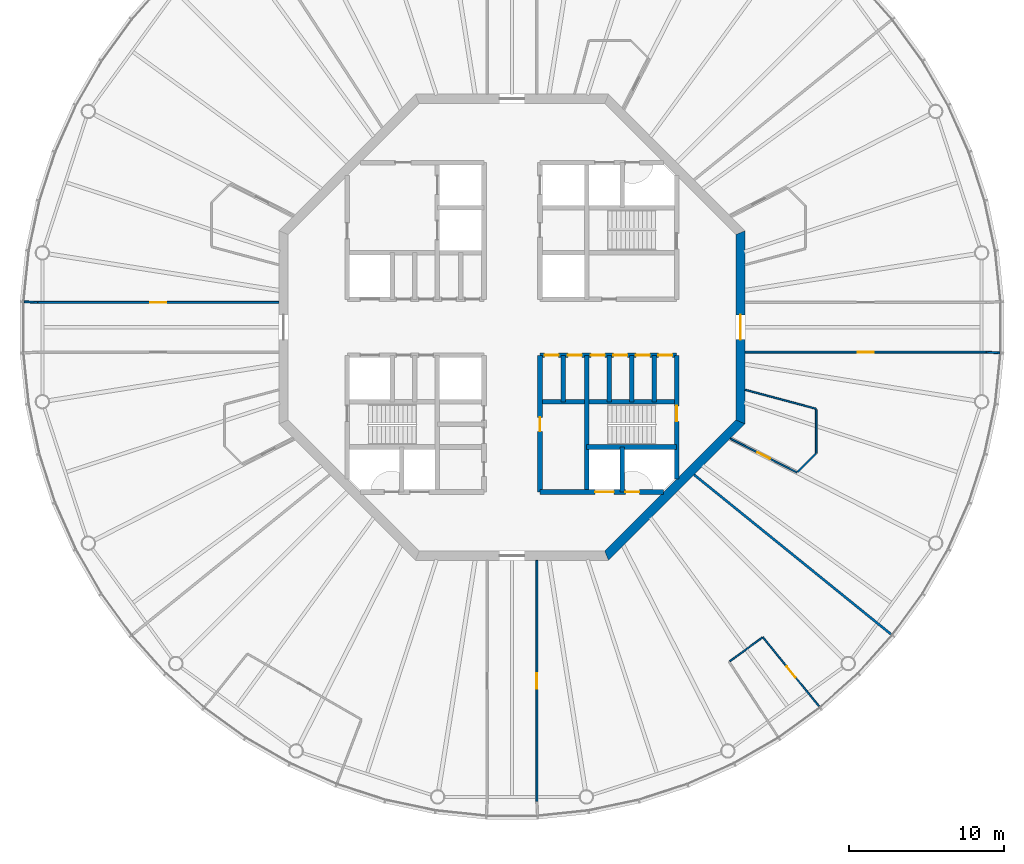
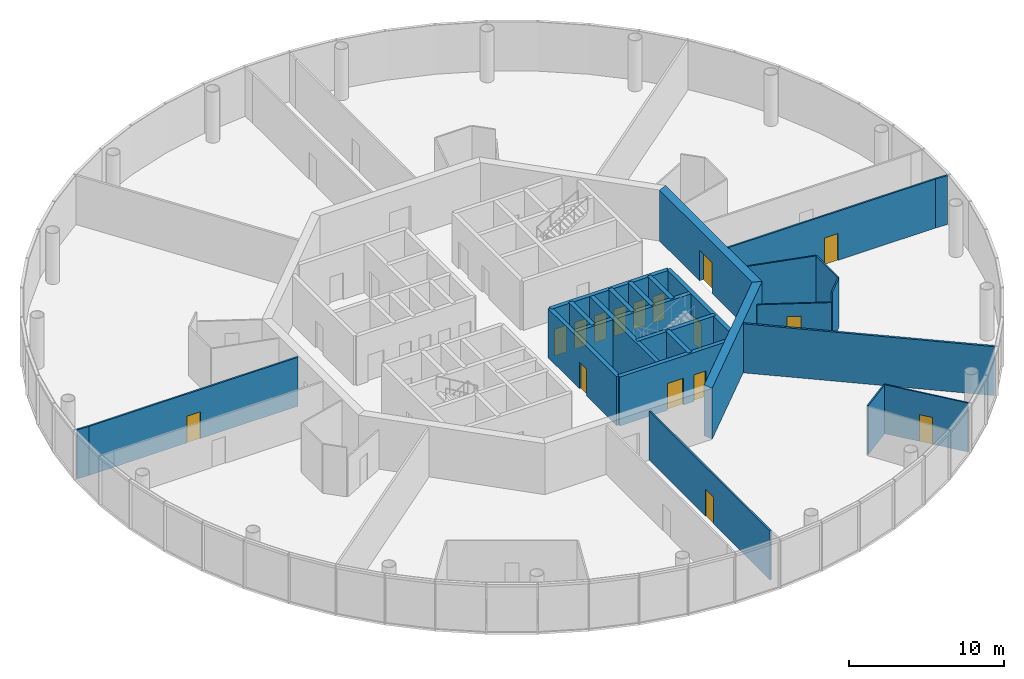
# One storey, part 4 of 13: 26 walls, 16 doors, 16 openings.
"""IFC4 building model written with IfcOpenShell, lengths in metres."""

from ifc_helpers import new_model, si_unit, direction, frame, frame_2d, origin, place, context, subcontext, project, spatial, polyline, rectangle, outline, extrude, material, layer, layer_set, type_object, element, fill, save


model = new_model("IFC4")

# Units and contexts
model_context = context("Model", 3, precision=1e-05, world=origin(), true_north=direction((0.0, 1.0)))
body_context = subcontext(model_context, "Body", "Model", "MODEL_VIEW")
ifc_project = project(units=[si_unit("LENGTHUNIT", "METRE"), si_unit("AREAUNIT", "SQUARE_METRE"), si_unit("VOLUMEUNIT", "CUBIC_METRE"), si_unit("PLANEANGLEUNIT", "RADIAN"), si_unit("MASSUNIT", "GRAM", prefix="KILO")], contexts=[model_context])

# Site, building, storey
site_placement = place(None, origin())
site = spatial("IfcSite", under=ifc_project, at=site_placement, CompositionType="ELEMENT")
building_placement = place(site_placement, origin())
building = spatial("IfcBuilding", under=site, at=building_placement, Name="Entoto Ring Tower", CompositionType="ELEMENT")
storey_placement = place(building_placement, frame((0.0, 0.0, 340.0)))
storey = spatial("IfcBuildingStorey", under=building, at=storey_placement, Name="L78", CompositionType="ELEMENT", Elevation=340.0)

# Wall, opening, door
ifc_material_1 = material(Name="Concrete C40/50", Category="concrete")
ifc_layer_1 = layer(ifc_material_1, 0.300048828125)
ifc_layer_set_1 = layer_set([ifc_layer_1], Name="Concrete C40/50")
wall_type_1 = type_object("IfcWallType", Name="Core enclosure wall 300 mm reinforced concrete", PredefinedType="SOLIDWALL", material=ifc_layer_set_1)
wall_1_placement = place(storey_placement, frame((100.60009765625, 70.2353515625, 0.0), z_axis=(0.0, 0.0, 1.0), x_axis=(0.0, 1.0, 0.0)))
wall_1 = element("IfcWall", 1, at=wall_1_placement, inside=storey, type_object=wall_type_1, Name="wall-L78-001", PredefinedType="SOLIDWALL", context=body_context, shape_type="SweptSolid", body=[
    extrude(rectangle(XDim=7.964599609375, YDim=0.300048828125, at=frame_2d((3.982421875, 0.0))), origin(), (0.0, 0.0, 1.0), 3.85009765625),
])
opening_1_placement = place(wall_1_placement, frame((3.714599609375, 0.0, 0.0)))
opening_1 = element("IfcOpeningElement", 2, at=opening_1_placement, cuts=wall_1, Name="Opening K-31", PredefinedType="OPENING", context=body_context, shape_type="SweptSolid", body=[
    extrude(rectangle(XDim=1.0, YDim=2.10009765625, at=frame_2d((0.5, 1.050048828125))), frame((0.0, 0.16015625, 0.0), z_axis=(0.0, -1.0, 0.0), x_axis=(1.0, 0.0, 0.0)), (0.0, 0.0, 1.0), 0.320068359375),
])
ifc_material_2 = material(Name="Steel door leaf, fire rated", Category="steel")
ifc_layer_2 = layer(ifc_material_2, 0.050048828125)
ifc_layer_set_2 = layer_set([ifc_layer_2], Name="Steel door leaf, fire rated")
door_type_1 = type_object("IfcDoorType", Name="Fire door FD60 1000 x 2100 single leaf", OperationType="NOTDEFINED", PredefinedType="DOOR", material=ifc_layer_set_2)
door_1_placement = place(opening_1_placement, origin())
door_1 = element("IfcDoor", 3, at=door_1_placement, inside=storey, type_object=door_type_1, Name="Door K-31", OperationType="SINGLE_SWING_RIGHT", OverallHeight=2.10009765625, OverallWidth=1.0, PredefinedType="DOOR", context=body_context, shape_type="SweptSolid", body=[
    extrude(rectangle(XDim=1.0, YDim=2.10009765625, at=frame_2d((0.5, 1.050048828125))), frame((0.0, 0.02490234375, 0.0), z_axis=(0.0, -1.0, 0.0), x_axis=(1.0, 0.0, 0.0)), (0.0, 0.0, 1.0), 0.050048828125),
])
fill(opening_1, door_1)

# Walls
for number, where, z_axis, x_axis, name in (
    (4, (99.14990234375, 75.199951171875, 0.0), (0.0, 0.0, 1.0), (0.0, 1.0, 0.0), "wall-L78-003"),
    (5, (97.699951171875, 75.199951171875, 0.0), (0.0, 0.0, 1.0), (0.0, 1.0, 0.0), "wall-L78-004"),
):
    element("IfcWall", number, at=place(storey_placement, frame(where, z_axis=z_axis, x_axis=x_axis)), inside=storey, type_object=wall_type_1, Name=name, PredefinedType="SOLIDWALL", context=body_context, shape_type="SweptSolid", body=[
        extrude(rectangle(XDim=3.0, YDim=0.300048828125, at=frame_2d((1.5, 0.0))), origin(), (0.0, 0.0, 1.0), 3.85009765625),
    ])
wall_2_placement = place(storey_placement, frame((97.10009765625, 69.39990234375, 0.0), z_axis=(0.0, 0.0, 1.0), x_axis=(0.0, 1.0, 0.0)))
element("IfcWall", 6, at=wall_2_placement, inside=storey, type_object=wall_type_1, Name="wall-L78-005", PredefinedType="SOLIDWALL", context=body_context, shape_type="SweptSolid", body=[
    extrude(rectangle(XDim=2.900146484375, YDim=0.300048828125, at=frame_2d((1.4501953125, 0.0))), origin(), (0.0, 0.0, 1.0), 3.85009765625),
])
wall_3_placement = place(storey_placement, frame((96.25, 75.199951171875, 0.0), z_axis=(0.0, 0.0, 1.0), x_axis=(0.0, 1.0, 0.0)))
element("IfcWall", 7, at=wall_3_placement, inside=storey, type_object=wall_type_1, Name="wall-L78-007", PredefinedType="SOLIDWALL", context=body_context, shape_type="SweptSolid", body=[
    extrude(rectangle(XDim=3.0, YDim=0.300048828125, at=frame_2d((1.5, 0.0))), origin(), (0.0, 0.0, 1.0), 3.85009765625),
])
wall_4_placement = place(storey_placement, frame((94.800048828125, 69.39990234375, 0.0), z_axis=(0.0, 0.0, 1.0), x_axis=(0.0, 1.0, 0.0)))
element("IfcWall", 8, at=wall_4_placement, inside=storey, type_object=wall_type_1, Name="wall-L78-008", PredefinedType="SOLIDWALL", context=body_context, shape_type="SweptSolid", body=[
    extrude(rectangle(XDim=8.800048828125, YDim=0.300048828125, at=frame_2d((4.39990234375, 0.0))), origin(), (0.0, 0.0, 1.0), 3.85009765625),
])
wall_5_placement = place(storey_placement, frame((93.300048828125, 75.199951171875, 0.0), z_axis=(0.0, 0.0, 1.0), x_axis=(0.0, 1.0, 0.0)))
element("IfcWall", 9, at=wall_5_placement, inside=storey, type_object=wall_type_1, Name="wall-L78-010", PredefinedType="SOLIDWALL", context=body_context, shape_type="SweptSolid", body=[
    extrude(rectangle(XDim=3.0, YDim=0.300048828125, at=frame_2d((1.5, 0.0))), origin(), (0.0, 0.0, 1.0), 3.85009765625),
])

# Wall, opening, door
wall_6_placement = place(storey_placement, frame((91.800048828125, 69.39990234375, 0.0), z_axis=(0.0, 0.0, 1.0), x_axis=(0.0, 1.0, 0.0)))
wall_6 = element("IfcWall", 10, at=wall_6_placement, inside=storey, type_object=wall_type_1, Name="wall-L78-011", PredefinedType="SOLIDWALL", context=body_context, shape_type="SweptSolid", body=[
    extrude(rectangle(XDim=8.800048828125, YDim=0.300048828125, at=frame_2d((4.39990234375, 0.0))), origin(), (0.0, 0.0, 1.0), 3.85009765625),
])
opening_2_placement = place(wall_6_placement, frame((3.89990234375, 0.0, 0.0)))
opening_2 = element("IfcOpeningElement", 11, at=opening_2_placement, cuts=wall_6, Name="Opening K-21", PredefinedType="OPENING", context=body_context, shape_type="SweptSolid", body=[
    extrude(rectangle(XDim=0.89990234375, YDim=2.10009765625, at=frame_2d((0.449951171875, 1.050048828125))), frame((0.0, 0.16015625, 0.0), z_axis=(0.0, -1.0, 0.0), x_axis=(1.0, 0.0, 0.0)), (0.0, 0.0, 1.0), 0.320068359375),
])
ifc_material_3 = material(Name="Steel door leaf, fire rated", Category="steel")
ifc_layer_3 = layer(ifc_material_3, 0.050048828125)
ifc_layer_set_3 = layer_set([ifc_layer_3], Name="Steel door leaf, fire rated")
door_type_2 = type_object("IfcDoorType", Name="Core door 900 x 2100 single leaf", OperationType="NOTDEFINED", PredefinedType="DOOR", material=ifc_layer_set_3)
door_2_placement = place(opening_2_placement, frame((0.89990234375, 0.0, 0.0), z_axis=(0.0, 0.0, 1.0), x_axis=(-1.0, 0.0, 0.0)))
door_2 = element("IfcDoor", 12, at=door_2_placement, inside=storey, type_object=door_type_2, Name="Door K-21", OperationType="SINGLE_SWING_LEFT", OverallHeight=2.10009765625, OverallWidth=0.89990234375, PredefinedType="DOOR", context=body_context, shape_type="SweptSolid", body=[
    extrude(rectangle(XDim=0.89990234375, YDim=2.10009765625, at=frame_2d((0.449951171875, 1.050048828125))), frame((0.0, 0.02490234375, 0.0), z_axis=(0.0, -1.0, 0.0), x_axis=(1.0, 0.0, 0.0)), (0.0, 0.0, 1.0), 0.050048828125),
])
fill(opening_2, door_2)

# Wall, openings, doors
wall_7_placement = place(storey_placement, frame((91.800048828125, 69.39990234375, 0.0), z_axis=(0.0, 0.0, 1.0), x_axis=(1.0, 0.0, 0.0)))
wall_7 = element("IfcWall", 13, at=wall_7_placement, inside=storey, type_object=wall_type_1, Name="wall-L78-026", PredefinedType="SOLIDWALL", context=body_context, shape_type="SweptSolid", body=[
    extrude(rectangle(XDim=7.964599609375, YDim=0.300048828125, at=frame_2d((3.982421875, 0.0))), origin(), (0.0, 0.0, 1.0), 3.85009765625),
])
opening_3_placement = place(wall_7_placement, frame((3.550048828125, 0.0, 0.0)))
opening_3 = element("IfcOpeningElement", 14, at=opening_3_placement, cuts=wall_7, Name="Opening LD", PredefinedType="OPENING", context=body_context, shape_type="SweptSolid", body=[
    extrude(rectangle(XDim=1.199951171875, YDim=2.10009765625, at=frame_2d((0.60009765625, 1.050048828125))), frame((0.0, 0.16015625, 0.0), z_axis=(0.0, -1.0, 0.0), x_axis=(1.0, 0.0, 0.0)), (0.0, 0.0, 1.0), 0.320068359375),
])
opening_4_placement = place(wall_7_placement, frame((5.5, 0.0, 0.0)))
opening_4 = element("IfcOpeningElement", 15, at=opening_4_placement, cuts=wall_7, Name="Opening K-34", PredefinedType="OPENING", context=body_context, shape_type="SweptSolid", body=[
    extrude(rectangle(XDim=0.89990234375, YDim=2.10009765625, at=frame_2d((0.449951171875, 1.050048828125))), frame((0.0, 0.16015625, 0.0), z_axis=(0.0, -1.0, 0.0), x_axis=(1.0, 0.0, 0.0)), (0.0, 0.0, 1.0), 0.320068359375),
])
ifc_material_4 = material(Name="Steel and glass door leaf", Category="steel")
ifc_layer_4 = layer(ifc_material_4, 0.050048828125)
ifc_layer_set_4 = layer_set([ifc_layer_4], Name="Steel and glass door leaf")
door_type_3 = type_object("IfcDoorType", Name="Landing door 1200 x 2100 sliding", OperationType="DOUBLE_DOOR_SLIDING", PredefinedType="DOOR", material=ifc_layer_set_4)
door_3_placement = place(opening_3_placement, origin())
door_3 = element("IfcDoor", 16, at=door_3_placement, inside=storey, type_object=door_type_3, Name="Landing door LB2-HR", OperationType="SLIDING_TO_RIGHT", OverallHeight=2.10009765625, OverallWidth=1.199951171875, PredefinedType="DOOR", context=body_context, shape_type="SweptSolid", body=[
    extrude(rectangle(XDim=1.199951171875, YDim=2.10009765625, at=frame_2d((0.60009765625, 1.050048828125))), frame((0.0, 0.02490234375, 0.0), z_axis=(0.0, -1.0, 0.0), x_axis=(1.0, 0.0, 0.0)), (0.0, 0.0, 1.0), 0.050048828125),
])
fill(opening_3, door_3)
ifc_material_5 = material(Name="Steel door leaf, fire rated", Category="steel")
ifc_layer_5 = layer(ifc_material_5, 0.050048828125)
ifc_layer_set_5 = layer_set([ifc_layer_5], Name="Steel door leaf, fire rated")
door_type_4 = type_object("IfcDoorType", Name="Riser door FD60 900 x 2100 single leaf", OperationType="NOTDEFINED", PredefinedType="DOOR", material=ifc_layer_set_5)
door_4_placement = place(opening_4_placement, origin())
door_4 = element("IfcDoor", 17, at=door_4_placement, inside=storey, type_object=door_type_4, Name="Door K-34", OperationType="SINGLE_SWING_LEFT", OverallHeight=2.10009765625, OverallWidth=0.89990234375, PredefinedType="DOOR", context=body_context, shape_type="SweptSolid", body=[
    extrude(rectangle(XDim=0.89990234375, YDim=2.10009765625, at=frame_2d((0.449951171875, 1.050048828125))), frame((0.0, 0.02490234375, 0.0), z_axis=(0.0, -1.0, 0.0), x_axis=(1.0, 0.0, 0.0)), (0.0, 0.0, 1.0), 0.050048828125),
])
fill(opening_4, door_4)

# Walls
wall_8_placement = place(storey_placement, frame((94.800048828125, 72.300048828125, 0.0), z_axis=(0.0, 0.0, 1.0), x_axis=(1.0, 0.0, 0.0)))
element("IfcWall", 18, at=wall_8_placement, inside=storey, type_object=wall_type_1, Name="wall-L78-028", PredefinedType="SOLIDWALL", context=body_context, shape_type="SweptSolid", body=[
    extrude(rectangle(XDim=5.800048828125, YDim=0.300048828125, at=frame_2d((2.89990234375, 0.0))), origin(), (0.0, 0.0, 1.0), 3.85009765625),
])
wall_9_placement = place(storey_placement, frame((91.800048828125, 75.199951171875, 0.0), z_axis=(0.0, 0.0, 1.0), x_axis=(1.0, 0.0, 0.0)))
element("IfcWall", 19, at=wall_9_placement, inside=storey, type_object=wall_type_1, Name="wall-L78-031", PredefinedType="SOLIDWALL", context=body_context, shape_type="SweptSolid", body=[
    extrude(rectangle(XDim=8.800048828125, YDim=0.300048828125, at=frame_2d((4.39990234375, 0.0))), origin(), (0.0, 0.0, 1.0), 3.85009765625),
])

# Wall, openings, doors
wall_10_placement = place(storey_placement, frame((91.800048828125, 78.199951171875, 0.0), z_axis=(0.0, 0.0, 1.0), x_axis=(1.0, 0.0, 0.0)))
wall_10 = element("IfcWall", 20, at=wall_10_placement, inside=storey, type_object=wall_type_1, Name="wall-L78-033", PredefinedType="SOLIDWALL", context=body_context, shape_type="SweptSolid", body=[
    extrude(rectangle(XDim=8.800048828125, YDim=0.300048828125, at=frame_2d((4.39990234375, 0.0))), origin(), (0.0, 0.0, 1.0), 3.85009765625),
])
opening_5_placement = place(wall_10_placement, frame((3.27490234375, 0.0, 0.0)))
opening_5 = element("IfcOpeningElement", 21, at=opening_5_placement, cuts=wall_10, Name="Opening K-14", PredefinedType="OPENING", context=body_context, shape_type="SweptSolid", body=[
    extrude(rectangle(XDim=0.89990234375, YDim=2.10009765625, at=frame_2d((0.449951171875, 1.050048828125))), frame((0.0, 0.16015625, 0.0), z_axis=(0.0, -1.0, 0.0), x_axis=(1.0, 0.0, 0.0)), (0.0, 0.0, 1.0), 0.320068359375),
])
opening_6_placement = place(wall_10_placement, frame((4.72509765625, 0.0, 0.0)))
opening_6 = element("IfcOpeningElement", 22, at=opening_6_placement, cuts=wall_10, Name="Opening K-15", PredefinedType="OPENING", context=body_context, shape_type="SweptSolid", body=[
    extrude(rectangle(XDim=0.89990234375, YDim=2.10009765625, at=frame_2d((0.449951171875, 1.050048828125))), frame((0.0, 0.16015625, 0.0), z_axis=(0.0, -1.0, 0.0), x_axis=(1.0, 0.0, 0.0)), (0.0, 0.0, 1.0), 0.320068359375),
])
opening_7_placement = place(wall_10_placement, frame((6.175048828125, 0.0, 0.0)))
opening_7 = element("IfcOpeningElement", 23, at=opening_7_placement, cuts=wall_10, Name="Opening K-16", PredefinedType="OPENING", context=body_context, shape_type="SweptSolid", body=[
    extrude(rectangle(XDim=0.89990234375, YDim=2.10009765625, at=frame_2d((0.449951171875, 1.050048828125))), frame((0.0, 0.16015625, 0.0), z_axis=(0.0, -1.0, 0.0), x_axis=(1.0, 0.0, 0.0)), (0.0, 0.0, 1.0), 0.320068359375),
])
opening_8_placement = place(wall_10_placement, frame((7.625, 0.0, 0.0)))
opening_8 = element("IfcOpeningElement", 24, at=opening_8_placement, cuts=wall_10, Name="Opening K-57", PredefinedType="OPENING", context=body_context, shape_type="SweptSolid", body=[
    extrude(rectangle(XDim=0.89990234375, YDim=2.10009765625, at=frame_2d((0.449951171875, 1.050048828125))), frame((0.0, 0.16015625, 0.0), z_axis=(0.0, -1.0, 0.0), x_axis=(1.0, 0.0, 0.0)), (0.0, 0.0, 1.0), 0.320068359375),
])
opening_9_placement = place(wall_10_placement, frame((0.300048828125, 0.0, 0.0)))
opening_9 = element("IfcOpeningElement", 25, at=opening_9_placement, cuts=wall_10, Name="Opening K-79", PredefinedType="OPENING", context=body_context, shape_type="SweptSolid", body=[
    extrude(rectangle(XDim=0.89990234375, YDim=2.10009765625, at=frame_2d((0.449951171875, 1.050048828125))), frame((0.0, 0.16015625, 0.0), z_axis=(0.0, -1.0, 0.0), x_axis=(1.0, 0.0, 0.0)), (0.0, 0.0, 1.0), 0.320068359375),
])
opening_10_placement = place(wall_10_placement, frame((1.800048828125, 0.0, 0.0)))
opening_10 = element("IfcOpeningElement", 26, at=opening_10_placement, cuts=wall_10, Name="Opening K-81", PredefinedType="OPENING", context=body_context, shape_type="SweptSolid", body=[
    extrude(rectangle(XDim=0.89990234375, YDim=2.10009765625, at=frame_2d((0.449951171875, 1.050048828125))), frame((0.0, 0.16015625, 0.0), z_axis=(0.0, -1.0, 0.0), x_axis=(1.0, 0.0, 0.0)), (0.0, 0.0, 1.0), 0.320068359375),
])
door_5_placement = place(opening_5_placement, frame((0.89990234375, 0.0, 0.0), z_axis=(0.0, 0.0, 1.0), x_axis=(-1.0, 0.0, 0.0)))
door_5 = element("IfcDoor", 27, at=door_5_placement, inside=storey, type_object=door_type_2, Name="Door K-14", OperationType="SINGLE_SWING_LEFT", OverallHeight=2.10009765625, OverallWidth=0.89990234375, PredefinedType="DOOR", context=body_context, shape_type="SweptSolid", body=[
    extrude(rectangle(XDim=0.89990234375, YDim=2.10009765625, at=frame_2d((0.449951171875, 1.050048828125))), frame((0.0, 0.02490234375, 0.0), z_axis=(0.0, -1.0, 0.0), x_axis=(1.0, 0.0, 0.0)), (0.0, 0.0, 1.0), 0.050048828125),
])
fill(opening_5, door_5)
door_6_placement = place(opening_6_placement, frame((0.89990234375, 0.0, 0.0), z_axis=(0.0, 0.0, 1.0), x_axis=(-1.0, 0.0, 0.0)))
door_6 = element("IfcDoor", 28, at=door_6_placement, inside=storey, type_object=door_type_2, Name="Door K-15", OperationType="SINGLE_SWING_RIGHT", OverallHeight=2.10009765625, OverallWidth=0.89990234375, PredefinedType="DOOR", context=body_context, shape_type="SweptSolid", body=[
    extrude(rectangle(XDim=0.89990234375, YDim=2.10009765625, at=frame_2d((0.449951171875, 1.050048828125))), frame((0.0, 0.02490234375, 0.0), z_axis=(0.0, -1.0, 0.0), x_axis=(1.0, 0.0, 0.0)), (0.0, 0.0, 1.0), 0.050048828125),
])
fill(opening_6, door_6)
door_7_placement = place(opening_7_placement, frame((0.89990234375, 0.0, 0.0), z_axis=(0.0, 0.0, 1.0), x_axis=(-1.0, 0.0, 0.0)))
door_7 = element("IfcDoor", 29, at=door_7_placement, inside=storey, type_object=door_type_2, Name="Door K-16", OperationType="SINGLE_SWING_RIGHT", OverallHeight=2.10009765625, OverallWidth=0.89990234375, PredefinedType="DOOR", context=body_context, shape_type="SweptSolid", body=[
    extrude(rectangle(XDim=0.89990234375, YDim=2.10009765625, at=frame_2d((0.449951171875, 1.050048828125))), frame((0.0, 0.02490234375, 0.0), z_axis=(0.0, -1.0, 0.0), x_axis=(1.0, 0.0, 0.0)), (0.0, 0.0, 1.0), 0.050048828125),
])
fill(opening_7, door_7)
door_8_placement = place(opening_8_placement, frame((0.89990234375, 0.0, 0.0), z_axis=(0.0, 0.0, 1.0), x_axis=(-1.0, 0.0, 0.0)))
door_8 = element("IfcDoor", 30, at=door_8_placement, inside=storey, type_object=door_type_2, Name="Door K-57", OperationType="SINGLE_SWING_RIGHT", OverallHeight=2.10009765625, OverallWidth=0.89990234375, PredefinedType="DOOR", context=body_context, shape_type="SweptSolid", body=[
    extrude(rectangle(XDim=0.89990234375, YDim=2.10009765625, at=frame_2d((0.449951171875, 1.050048828125))), frame((0.0, 0.02490234375, 0.0), z_axis=(0.0, -1.0, 0.0), x_axis=(1.0, 0.0, 0.0)), (0.0, 0.0, 1.0), 0.050048828125),
])
fill(opening_8, door_8)
door_9_placement = place(opening_9_placement, frame((0.89990234375, 0.0, 0.0), z_axis=(0.0, 0.0, 1.0), x_axis=(-1.0, 0.0, 0.0)))
door_9 = element("IfcDoor", 31, at=door_9_placement, inside=storey, type_object=door_type_2, Name="Door K-79", OperationType="SINGLE_SWING_RIGHT", OverallHeight=2.10009765625, OverallWidth=0.89990234375, PredefinedType="DOOR", context=body_context, shape_type="SweptSolid", body=[
    extrude(rectangle(XDim=0.89990234375, YDim=2.10009765625, at=frame_2d((0.449951171875, 1.050048828125))), frame((0.0, 0.02490234375, 0.0), z_axis=(0.0, -1.0, 0.0), x_axis=(1.0, 0.0, 0.0)), (0.0, 0.0, 1.0), 0.050048828125),
])
fill(opening_9, door_9)
door_10_placement = place(opening_10_placement, frame((0.89990234375, 0.0, 0.0), z_axis=(0.0, 0.0, 1.0), x_axis=(-1.0, 0.0, 0.0)))
door_10 = element("IfcDoor", 32, at=door_10_placement, inside=storey, type_object=door_type_2, Name="Door K-81", OperationType="SINGLE_SWING_RIGHT", OverallHeight=2.10009765625, OverallWidth=0.89990234375, PredefinedType="DOOR", context=body_context, shape_type="SweptSolid", body=[
    extrude(rectangle(XDim=0.89990234375, YDim=2.10009765625, at=frame_2d((0.449951171875, 1.050048828125))), frame((0.0, 0.02490234375, 0.0), z_axis=(0.0, -1.0, 0.0), x_axis=(1.0, 0.0, 0.0)), (0.0, 0.0, 1.0), 0.050048828125),
])
fill(opening_10, door_10)

# Wall, opening, door
ifc_material_6 = material(Name="Concrete C40/50", Category="concrete")
ifc_layer_6 = layer(ifc_material_6, 0.60009765625)
ifc_layer_set_6 = layer_set([ifc_layer_6], Name="Concrete C40/50")
wall_type_2 = type_object("IfcWallType", Name="Core shear wall 600 mm reinforced concrete C40/50", PredefinedType="SHEAR", material=ifc_layer_set_6)
wall_11_placement = place(storey_placement, frame((104.699951171875, 73.9111328125, 0.0), z_axis=(0.0, 0.0, 1.0), x_axis=(0.0, 1.0, 0.0)))
wall_11 = element("IfcWall", 33, at=wall_11_placement, inside=storey, type_object=wall_type_2, Name="wall-L78-core-0", PredefinedType="SHEAR", context=body_context, shape_type="SweptSolid", body=[
    extrude(outline(polyline([(-0.124267578125, -0.300048828125), (12.302001953125, -0.300048828125), (12.053466796875, 0.300048828125), (0.124267578125, 0.300048828125), (-0.124267578125, -0.300048828125)])), origin(), (0.0, 0.0, 1.0), 4.0),
])
opening_11_placement = place(wall_11_placement, frame((5.288818359375, 0.0, 0.0)))
opening_11 = element("IfcOpeningElement", 34, at=opening_11_placement, cuts=wall_11, Name="Opening K-01", PredefinedType="OPENING", context=body_context, shape_type="SweptSolid", body=[
    extrude(rectangle(XDim=1.60009765625, YDim=2.39990234375, at=frame_2d((0.800048828125, 1.199951171875))), frame((0.0, 0.31005859375, 0.0), z_axis=(0.0, -1.0, 0.0), x_axis=(1.0, 0.0, 0.0)), (0.0, 0.0, 1.0), 0.6201171875),
])
ifc_material_7 = material(Name="Steel door leaf, fire rated", Category="steel")
ifc_layer_7 = layer(ifc_material_7, 0.050048828125)
ifc_layer_set_7 = layer_set([ifc_layer_7], Name="Steel door leaf, fire rated")
door_type_5 = type_object("IfcDoorType", Name="Entrance door FD60 1600 x 2400 double leaf", OperationType="DOUBLE_DOOR_SINGLE_SWING", PredefinedType="DOOR", material=ifc_layer_set_7)
door_11_placement = place(opening_11_placement, origin())
door_11 = element("IfcDoor", 35, at=door_11_placement, inside=storey, type_object=door_type_5, Name="Entrance door K-01", OperationType="DOUBLE_DOOR_SINGLE_SWING", OverallHeight=2.39990234375, OverallWidth=1.60009765625, PredefinedType="DOOR", context=body_context, shape_type="SweptSolid", body=[
    extrude(rectangle(XDim=1.60009765625, YDim=2.39990234375, at=frame_2d((0.800048828125, 1.199951171875))), frame((0.0, 0.02490234375, 0.0), z_axis=(0.0, -1.0, 0.0), x_axis=(1.0, 0.0, 0.0)), (0.0, 0.0, 1.0), 0.050048828125),
])
fill(opening_11, door_11)

# Wall
wall_12_placement = place(storey_placement, frame((96.0888671875, 65.300048828125, 0.0), z_axis=(0.0, 0.0, 1.0), x_axis=(0.707106781187, 0.707106781187, 0.0)))
element("IfcWall", 36, at=wall_12_placement, inside=storey, type_object=wall_type_2, Name="wall-L78-core-7", PredefinedType="SHEAR", context=body_context, shape_type="SweptSolid", body=[
    extrude(outline(polyline([(-0.124267578125, -0.300048828125), (12.30224609375, -0.300048828125), (12.0537109375, 0.300048828125), (0.124267578125, 0.300048828125), (-0.124267578125, -0.300048828125)])), origin(), (0.0, 0.0, 1.0), 4.0),
])

# Wall, opening, door
ifc_material_8 = material(Name="Fire-resisting plasterboard on steel studs", Category="steel")
ifc_layer_8 = layer(ifc_material_8, 0.125)
ifc_layer_set_8 = layer_set([ifc_layer_8], Name="Fire-resisting plasterboard on steel studs")
wall_type_3 = type_object("IfcWallType", Name="Corridor wall 125 mm one-hour plasterboard on steel studs", PredefinedType="PARTITIONING", material=ifc_layer_set_8)
wall_13_placement = place(storey_placement, frame((59.47021484375, 81.60009765625, 0.0), z_axis=(0.0, 0.0, 1.0), x_axis=(1.0, 0.0, 0.0)))
wall_13 = element("IfcWall", 37, at=wall_13_placement, inside=storey, type_object=wall_type_3, Name="partition-L78-002", PredefinedType="PARTITIONING", context=body_context, shape_type="SweptSolid", body=[
    extrude(rectangle(XDim=15.52978515625, YDim=0.125, at=frame_2d((7.764892578125, 0.0))), origin(), (0.0, 0.0, 1.0), 3.85009765625),
])
opening_12_placement = place(wall_13_placement, frame((7.264892578125, 0.0, 0.0)))
opening_12 = element("IfcOpeningElement", 38, at=opening_12_placement, cuts=wall_13, Name="Opening A34-D06", PredefinedType="OPENING", context=body_context, shape_type="SweptSolid", body=[
    extrude(rectangle(XDim=1.0, YDim=2.10009765625, at=frame_2d((0.5, 1.050048828125))), frame((0.0, 0.072509765625, 0.0), z_axis=(0.0, -1.0, 0.0), x_axis=(1.0, 0.0, 0.0)), (0.0, 0.0, 1.0), 0.14501953125),
])
ifc_material_9 = material(Name="Fire-resisting timber door set", Category="wood")
door_type_6 = type_object("IfcDoorType", Name="Door 1000 x 2100 single leaf FD30S fire door", OperationType="NOTDEFINED", PredefinedType="DOOR", material=ifc_material_9)
door_12_placement = place(opening_12_placement, origin())
door_12 = element("IfcDoor", 39, at=door_12_placement, inside=storey, type_object=door_type_6, Name="Door A34-D06", OperationType="SINGLE_SWING_RIGHT", OverallHeight=2.10009765625, OverallWidth=1.0, PredefinedType="DOOR", context=body_context, shape_type="SweptSolid", body=[
    extrude(rectangle(XDim=1.0, YDim=2.10009765625, at=frame_2d((0.5, 1.050048828125))), frame((0.0, 0.02490234375, 0.0), z_axis=(0.0, -1.0, 0.0), x_axis=(1.0, 0.0, 0.0)), (0.0, 0.0, 1.0), 0.050048828125),
])
fill(opening_12, door_12)

wall_14_placement = place(storey_placement, frame((91.60009765625, 49.47021484375, 0.0), z_axis=(0.0, 0.0, 1.0), x_axis=(0.0, 1.0, 0.0)))
wall_14 = element("IfcWall", 40, at=wall_14_placement, inside=storey, type_object=wall_type_3, Name="partition-L78-005", PredefinedType="PARTITIONING", context=body_context, shape_type="SweptSolid", body=[
    extrude(rectangle(XDim=15.52978515625, YDim=0.125, at=frame_2d((7.764892578125, 0.0))), origin(), (0.0, 0.0, 1.0), 3.85009765625),
])
opening_13_placement = place(wall_14_placement, frame((7.264892578125, 0.0, 0.0)))
opening_13 = element("IfcOpeningElement", 41, at=opening_13_placement, cuts=wall_14, Name="Opening A34-D12", PredefinedType="OPENING", context=body_context, shape_type="SweptSolid", body=[
    extrude(rectangle(XDim=1.0, YDim=2.10009765625, at=frame_2d((0.5, 1.050048828125))), frame((0.0, 0.072509765625, 0.0), z_axis=(0.0, -1.0, 0.0), x_axis=(1.0, 0.0, 0.0)), (0.0, 0.0, 1.0), 0.14501953125),
])
door_13_placement = place(opening_13_placement, frame((1.0, 0.0, 0.0), z_axis=(0.0, 0.0, 1.0), x_axis=(-1.0, 0.0, 0.0)))
door_13 = element("IfcDoor", 42, at=door_13_placement, inside=storey, type_object=door_type_6, Name="Door A34-D12", OperationType="SINGLE_SWING_LEFT", OverallHeight=2.10009765625, OverallWidth=1.0, PredefinedType="DOOR", context=body_context, shape_type="SweptSolid", body=[
    extrude(rectangle(XDim=1.0, YDim=2.10009765625, at=frame_2d((0.5, 1.050048828125))), frame((0.0, 0.02490234375, 0.0), z_axis=(0.0, -1.0, 0.0), x_axis=(1.0, 0.0, 0.0)), (0.0, 0.0, 1.0), 0.050048828125),
])
fill(opening_13, door_13)

wall_15_placement = place(storey_placement, frame((105.0, 78.39990234375, 0.0), z_axis=(0.0, 0.0, 1.0), x_axis=(1.0, 0.0, 0.0)))
wall_15 = element("IfcWall", 43, at=wall_15_placement, inside=storey, type_object=wall_type_3, Name="partition-L78-007", PredefinedType="PARTITIONING", context=body_context, shape_type="SweptSolid", body=[
    extrude(rectangle(XDim=15.52978515625, YDim=0.125, at=frame_2d((7.764892578125, 0.0))), origin(), (0.0, 0.0, 1.0), 3.85009765625),
])
opening_14_placement = place(wall_15_placement, frame((7.264892578125, 0.0, 0.0)))
opening_14 = element("IfcOpeningElement", 44, at=opening_14_placement, cuts=wall_15, Name="Opening A34-D14", PredefinedType="OPENING", context=body_context, shape_type="SweptSolid", body=[
    extrude(rectangle(XDim=1.0, YDim=2.10009765625, at=frame_2d((0.5, 1.050048828125))), frame((0.0, 0.072509765625, 0.0), z_axis=(0.0, -1.0, 0.0), x_axis=(1.0, 0.0, 0.0)), (0.0, 0.0, 1.0), 0.14501953125),
])
door_14_placement = place(opening_14_placement, frame((1.0, 0.0, 0.0), z_axis=(0.0, 0.0, 1.0), x_axis=(-1.0, 0.0, 0.0)))
door_14 = element("IfcDoor", 45, at=door_14_placement, inside=storey, type_object=door_type_6, Name="Door A34-D14", OperationType="SINGLE_SWING_RIGHT", OverallHeight=2.10009765625, OverallWidth=1.0, PredefinedType="DOOR", context=body_context, shape_type="SweptSolid", body=[
    extrude(rectangle(XDim=1.0, YDim=2.10009765625, at=frame_2d((0.5, 1.050048828125))), frame((0.0, 0.02490234375, 0.0), z_axis=(0.0, -1.0, 0.0), x_axis=(1.0, 0.0, 0.0)), (0.0, 0.0, 1.0), 0.050048828125),
])
fill(opening_14, door_14)

# Walls
for number, where, z_axis, x_axis, name in (
    (46, (59.466796875, 81.60009765625, 0.0), (0.0, 0.0, 1.0), (-0.998620946423, 0.052499574911, 0.0), "partition-L78-010"),
    (47, (121.39697265625, 78.3544921875, 0.0), (0.0, 0.0, 1.0), (-0.998620946423, 0.052499574911, 0.0), "partition-L78-016"),
):
    element("IfcWall", number, at=place(storey_placement, frame(where, z_axis=z_axis, x_axis=x_axis)), inside=storey, type_object=wall_type_3, Name=name, PredefinedType="PARTITIONING", context=body_context, shape_type="SweptSolid", body=[
        extrude(rectangle(XDim=0.864990234375, YDim=0.125, at=frame_2d((0.4326171875, 0.0))), origin(), (0.0, 0.0, 1.0), 3.85009765625),
    ])

# Wall, opening, door
ifc_material_10 = material(Name="Plasterboard on steel studs", Category="steel")
ifc_layer_9 = layer(ifc_material_10, 0.10009765625)
ifc_layer_set_9 = layer_set([ifc_layer_9], Name="Plasterboard on steel studs")
wall_type_4 = type_object("IfcWallType", Name="Partition 100 mm plasterboard on steel studs", PredefinedType="PARTITIONING", material=ifc_layer_set_9)
wall_16_placement = place(storey_placement, frame((109.785888671875, 55.56640625, 0.0), z_axis=(0.0, 0.0, 1.0), x_axis=(-0.629314869916, 0.77715043235, 0.0)))
wall_16 = element("IfcWall", 48, at=wall_16_placement, inside=storey, type_object=wall_type_4, Name="partition-L78-022", PredefinedType="PARTITIONING", context=body_context, shape_type="SweptSolid", body=[
    extrude(rectangle(XDim=5.780029296875, YDim=0.10009765625, at=frame_2d((2.89013671875, 0.0))), origin(), (0.0, 0.0, 1.0), 3.85009765625),
])
opening_15_placement = place(wall_16_placement, frame((2.43994140625, 0.0, 0.0)))
opening_15 = element("IfcOpeningElement", 49, at=opening_15_placement, cuts=wall_16, Name="Opening A34-D13", PredefinedType="OPENING", context=body_context, shape_type="SweptSolid", body=[
    extrude(rectangle(XDim=0.89990234375, YDim=2.10009765625, at=frame_2d((0.449951171875, 1.050048828125))), frame((0.0, 0.06005859375, 0.0), z_axis=(0.0, -1.0, 0.0), x_axis=(1.0, 0.0, 0.0)), (0.0, 0.0, 1.0), 0.1201171875),
])
ifc_material_11 = material(Name="Veneered timber door leaf in timber frame", Category="wood")
door_type_7 = type_object("IfcDoorType", Name="Door 900 x 2100 single leaf timber veneer", OperationType="NOTDEFINED", PredefinedType="DOOR", material=ifc_material_11)
door_15_placement = place(opening_15_placement, origin())
door_15 = element("IfcDoor", 50, at=door_15_placement, inside=storey, type_object=door_type_7, Name="Door A34-D13", OperationType="SINGLE_SWING_LEFT", OverallHeight=2.10009765625, OverallWidth=0.89990234375, PredefinedType="DOOR", context=body_context, shape_type="SweptSolid", body=[
    extrude(rectangle(XDim=0.89990234375, YDim=2.10009765625, at=frame_2d((0.449951171875, 1.050048828125))), frame((0.0, 0.02490234375, 0.0), z_axis=(0.0, -1.0, 0.0), x_axis=(1.0, 0.0, 0.0)), (0.0, 0.0, 1.0), 0.050048828125),
])
fill(opening_15, door_15)

# Walls
wall_17_placement = place(storey_placement, frame((109.580078125, 74.753662109375, 0.0), z_axis=(0.0, 0.0, 1.0), x_axis=(-0.965935181868, 0.258784127083, 0.0)))
element("IfcWall", 51, at=wall_17_placement, inside=storey, type_object=wall_type_4, Name="partition-L78-025", PredefinedType="PARTITIONING", context=body_context, shape_type="SweptSolid", body=[
    extrude(rectangle(XDim=4.74169921875, YDim=0.10009765625, at=frame_2d((2.370849609375, 0.0))), origin(), (0.0, 0.0, 1.0), 3.85009765625),
])
wall_18_placement = place(storey_placement, frame((109.580078125, 71.8896484375, 0.0), z_axis=(0.0, 0.0, 1.0), x_axis=(0.0, 1.0, 0.0)))
element("IfcWall", 52, at=wall_18_placement, inside=storey, type_object=wall_type_4, Name="partition-L78-036", PredefinedType="PARTITIONING", context=body_context, shape_type="SweptSolid", body=[
    extrude(rectangle(XDim=2.815673828125, YDim=0.10009765625, at=frame_2d((1.40771484375, 0.0))), origin(), (0.0, 0.0, 1.0), 3.85009765625),
])
wall_19_placement = place(storey_placement, frame((104.015869140625, 58.509033203125, 0.0), z_axis=(0.0, 0.0, 1.0), x_axis=(0.809005452733, 0.587801137672, 0.0)))
element("IfcWall", 53, at=wall_19_placement, inside=storey, type_object=wall_type_4, Name="partition-L78-041", PredefinedType="PARTITIONING", context=body_context, shape_type="SweptSolid", body=[
    extrude(rectangle(XDim=2.5859375, YDim=0.10009765625, at=frame_2d((1.29296875, 0.0))), origin(), (0.0, 0.0, 1.0), 3.85009765625),
])
wall_20_placement = place(storey_placement, frame((108.377197265625, 70.68701171875, 0.0), z_axis=(0.0, 0.0, 1.0), x_axis=(0.707106781187, 0.707106781187, 0.0)))
element("IfcWall", 54, at=wall_20_placement, inside=storey, type_object=wall_type_4, Name="partition-L78-042", PredefinedType="PARTITIONING", context=body_context, shape_type="SweptSolid", body=[
    extrude(rectangle(XDim=1.666015625, YDim=0.10009765625, at=frame_2d((0.8330078125, 0.0))), origin(), (0.0, 0.0, 1.0), 3.85009765625),
])

# Wall, opening, door
ifc_material_12 = material(Name="Plasterboard on steel studs", Category="steel")
ifc_layer_10 = layer(ifc_material_12, 0.10009765625)
ifc_layer_set_10 = layer_set([ifc_layer_10], Name="Plasterboard on steel studs")
wall_type_5 = type_object("IfcWallType", Name="Partition 100 mm plasterboard on steel studs, 3097 mm high", PredefinedType="PARTITIONING", material=ifc_layer_set_10)
wall_21_placement = place(storey_placement, frame((108.34375, 70.6533203125, 0.0), z_axis=(0.0, 0.0, 1.0), x_axis=(-0.891004673891, 0.453994131135, 0.0)))
wall_21 = element("IfcWall", 55, at=wall_21_placement, inside=storey, type_object=wall_type_5, Name="partition-L78-024", PredefinedType="PARTITIONING", context=body_context, shape_type="SweptSolid", body=[
    extrude(rectangle(XDim=4.815673828125, YDim=0.10009765625, at=frame_2d((2.40771484375, 0.0))), origin(), (0.0, 0.0, 1.0), 3.096923828125),
])
opening_16_placement = place(wall_21_placement, frame((1.957763671875, 0.0, 0.0)))
opening_16 = element("IfcOpeningElement", 56, at=opening_16_placement, cuts=wall_21, Name="Opening A34-D15", PredefinedType="OPENING", context=body_context, shape_type="SweptSolid", body=[
    extrude(rectangle(XDim=0.89990234375, YDim=2.10009765625, at=frame_2d((0.449951171875, 1.050048828125))), frame((0.0, 0.06005859375, 0.0), z_axis=(0.0, -1.0, 0.0), x_axis=(1.0, 0.0, 0.0)), (0.0, 0.0, 1.0), 0.1201171875),
])
door_16_placement = place(opening_16_placement, frame((0.89990234375, 0.0, 0.0), z_axis=(0.0, 0.0, 1.0), x_axis=(-1.0, 0.0, 0.0)))
door_16 = element("IfcDoor", 57, at=door_16_placement, inside=storey, type_object=door_type_7, Name="Door A34-D15", OperationType="SINGLE_SWING_LEFT", OverallHeight=2.10009765625, OverallWidth=0.89990234375, PredefinedType="DOOR", context=body_context, shape_type="SweptSolid", body=[
    extrude(rectangle(XDim=0.89990234375, YDim=2.10009765625, at=frame_2d((0.449951171875, 1.050048828125))), frame((0.0, 0.02490234375, 0.0), z_axis=(0.0, -1.0, 0.0), x_axis=(1.0, 0.0, 0.0)), (0.0, 0.0, 1.0), 0.050048828125),
])
fill(opening_16, door_16)

# Wall
ifc_material_13 = material(Name="Fire-resisting acoustic plasterboard on steel studs", Category="steel")
ifc_layer_11 = layer(ifc_material_13, 0.14990234375)
ifc_layer_set_11 = layer_set([ifc_layer_11], Name="Fire-resisting acoustic plasterboard on steel studs")
wall_type_6 = type_object("IfcWallType", Name="Party wall 150 mm one-hour acoustic plasterboard on steel studs", PredefinedType="PARTITIONING", material=ifc_layer_set_11)
wall_22_placement = place(storey_placement, frame((114.43359375, 60.214111328125, 0.0), z_axis=(0.0, 0.0, 1.0), x_axis=(-0.777143368827, 0.629323592667, 0.0)))
element("IfcWall", 58, at=wall_22_placement, inside=storey, type_object=wall_type_6, Name="partition-L78-019", PredefinedType="PARTITIONING", context=body_context, shape_type="SweptSolid", body=[
    extrude(rectangle(XDim=16.357666015625, YDim=0.14990234375, at=frame_2d((8.1787109375, 0.0))), origin(), (0.0, 0.0, 1.0), 3.85009765625),
])

save(model, "model.ifc")
